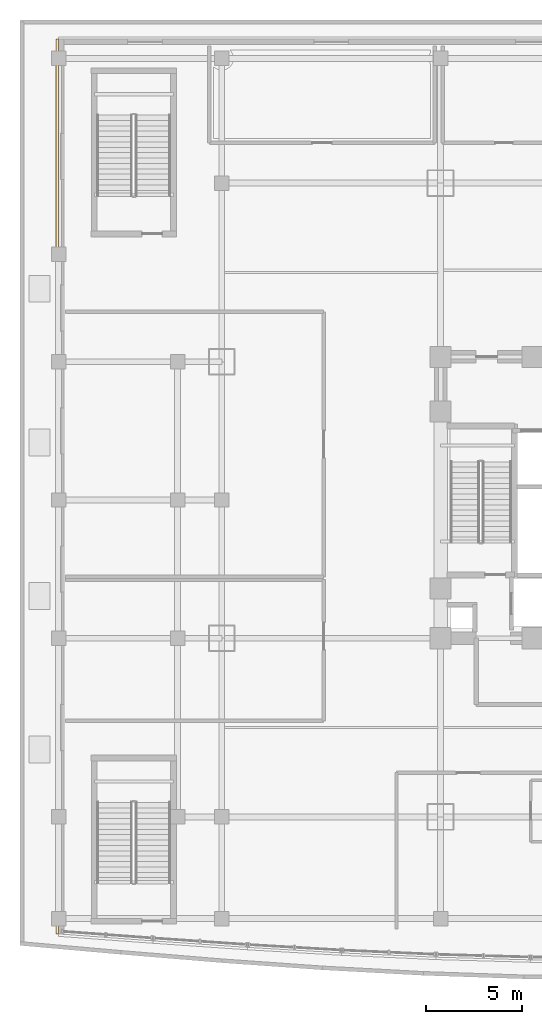
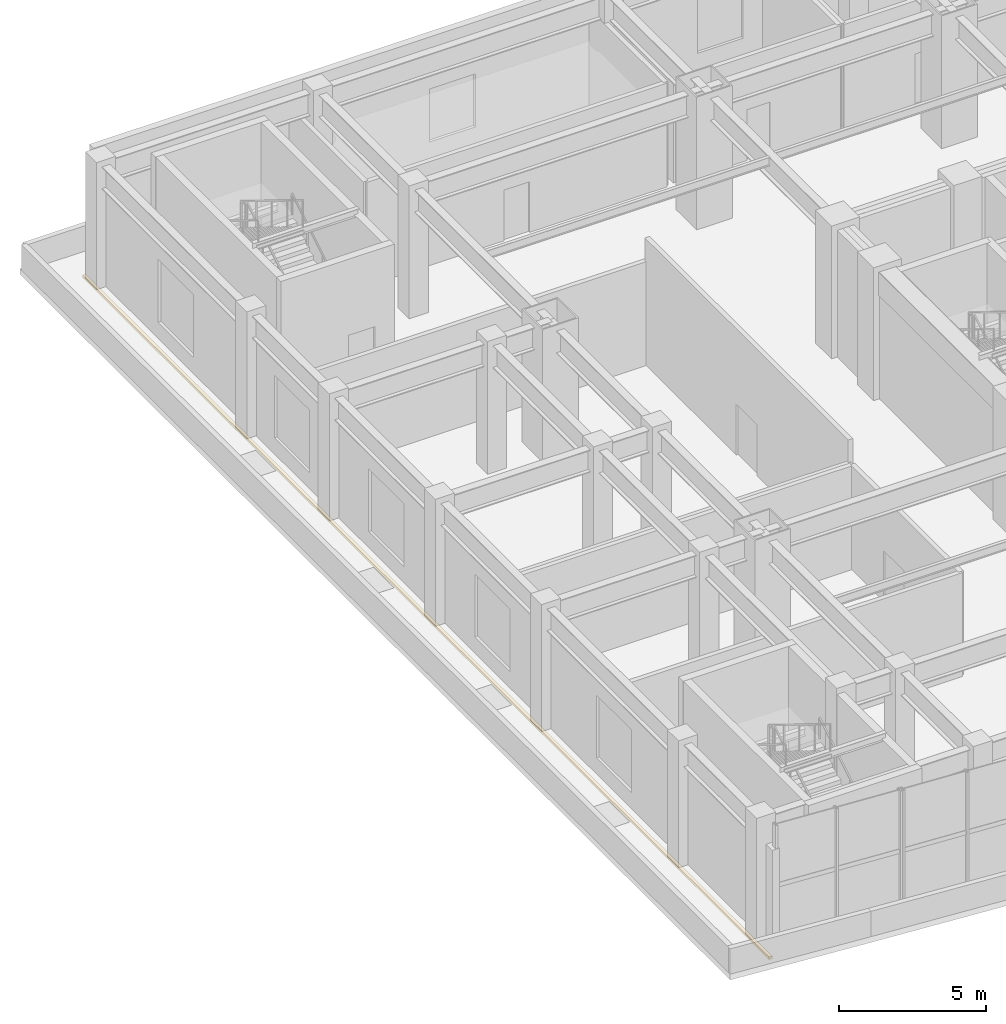
# One storey, part 17 of 24: 1 covering.
"""IFC4 building model written with IfcOpenShell, lengths in metres."""

from ifc_helpers import new_model, si_unit, direction, frame, origin, place, context, subcontext, project, spatial, polyline, outline, extrude, material, layer, layer_set, type_object, element, save


model = new_model("IFC4")

# Units and contexts
model_context = context("Model", 3, precision=1e-05, world=origin(), true_north=direction((0.0, 1.0)))
body_context = subcontext(model_context, "Body", "Model", "MODEL_VIEW")
ifc_project = project(units=[si_unit("LENGTHUNIT", "METRE"), si_unit("AREAUNIT", "SQUARE_METRE"), si_unit("VOLUMEUNIT", "CUBIC_METRE"), si_unit("PLANEANGLEUNIT", "RADIAN"), si_unit("MASSUNIT", "GRAM", prefix="KILO")], contexts=[model_context])

# Site, building, storey
site_placement = place(None, origin())
site = spatial("IfcSite", under=ifc_project, at=site_placement, CompositionType="ELEMENT")
building_placement = place(site_placement, origin())
building = spatial("IfcBuilding", under=site, at=building_placement, Name="Vantalir Tower", CompositionType="ELEMENT")
storey_placement = place(building_placement, frame((0.0, 0.0, 16.0)))
storey = spatial("IfcBuildingStorey", under=building, at=storey_placement, Name="L03", CompositionType="ELEMENT", Elevation=16.0)

# Covering
ifc_material = material(Name="Anodised champagne aluminium sill fascia", Category="aluminium")
ifc_layer = layer(ifc_material, 0.125)
ifc_layer_set = layer_set([ifc_layer], Name="Anodised champagne aluminium sill fascia")
covering_type = type_object("IfcCoveringType", Name="COV-SLAB-FASCIA-125", PredefinedType="CLADDING", material=ifc_layer_set)
covering_placement = place(storey_placement, frame((0.0, 0.0, -0.179931640625)))
element("IfcCovering", 1, at=covering_placement, inside=storey, type_object=covering_type, Name="L03 Podium Slab-Edge Fascia W", PredefinedType="CLADDING", context=body_context, shape_type="SweptSolid", body=[
    extrude(outline(polyline([(1.875, 2.39990234375), (2.0, 2.39990234375), (2.0, 49.0), (1.875, 49.0), (1.875, 2.39990234375)])), origin(), (0.0, 0.0, 1.0), 0.10498046875),
])

save(model, "model.ifc")
